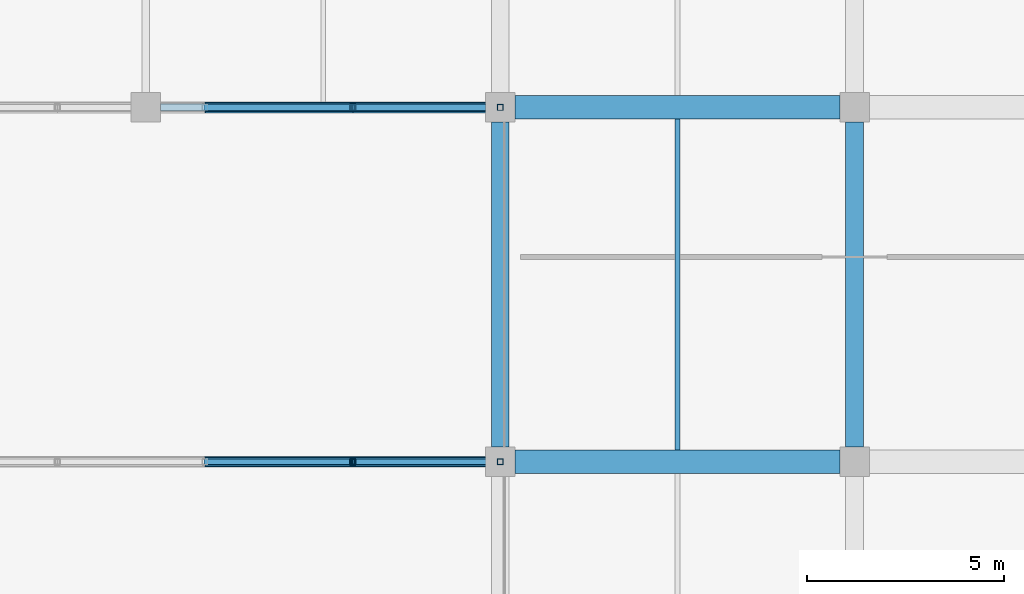
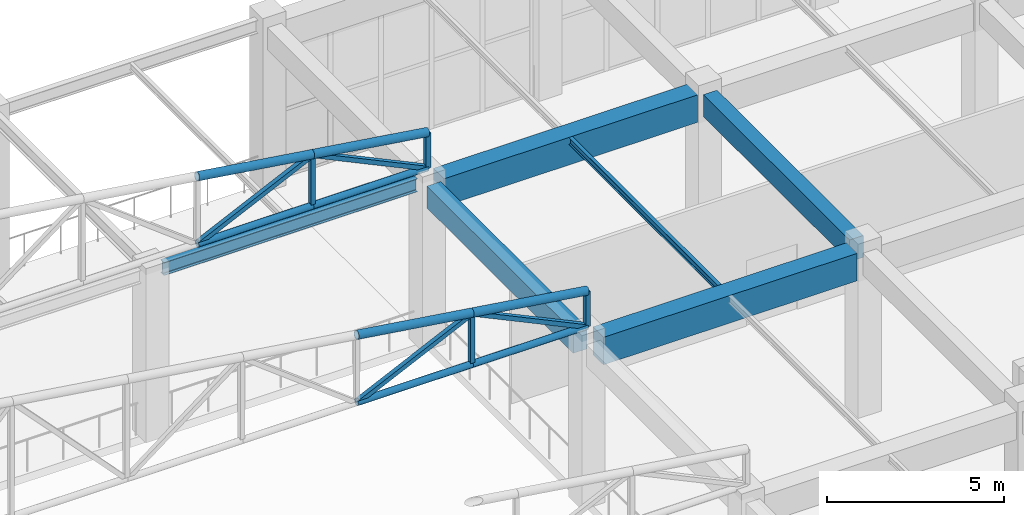
# One storey, part 72 of 223: 16 members, 6 beams.
"""IFC4 building model written with IfcOpenShell, lengths in metres."""

from ifc_helpers import new_model, si_unit, direction, frame, origin, origin_2d, place, context, subcontext, project, spatial, rectangle, hollow_rectangle, hollow_circle, i_section, extrude, material, material_profile, profile_set, type_object, element, save


model = new_model("IFC4")

# Units and contexts
model_context = context("Model", 3, precision=1e-05, world=origin(), true_north=direction((0.0, 1.0)))
body_context = subcontext(model_context, "Body", "Model", "MODEL_VIEW")
ifc_project = project(units=[si_unit("LENGTHUNIT", "METRE"), si_unit("AREAUNIT", "SQUARE_METRE"), si_unit("VOLUMEUNIT", "CUBIC_METRE"), si_unit("PLANEANGLEUNIT", "RADIAN"), si_unit("MASSUNIT", "GRAM", prefix="KILO")], contexts=[model_context])

# Site, building, storey
site_placement = place(None, origin())
site = spatial("IfcSite", under=ifc_project, at=site_placement, CompositionType="ELEMENT")
building_placement = place(site_placement, origin())
building = spatial("IfcBuilding", under=site, at=building_placement, Name="Dornveld Trade and Exhibition Forum", CompositionType="ELEMENT")
storey_placement = place(building_placement, frame((0.0, 0.0, 6.0)))
storey = spatial("IfcBuildingStorey", under=building, at=storey_placement, Name="L01", CompositionType="ELEMENT", Elevation=6.0)

# Beams
ifc_material_1 = material(Name="Steel S355J2", Category="steel")
ifc_material_profile_1 = material_profile(ifc_material_1, i_section(OverallWidth=0.1201171875, OverallDepth=0.239990234375, WebThickness=0.006103515625, FlangeThickness=0.009765625, FilletRadius=0.014892578125, at=origin_2d()), Name="IPE 240")
ifc_profile_set_1 = profile_set([ifc_material_profile_1], Name="Steel S355J2")
beam_type_1 = type_object("IfcBeamType", Name="BM-JOIST-240", PredefinedType="JOIST", material=ifc_profile_set_1)
beam_1_placement = place(storey_placement, frame((202.5, 36.297119140625, 5.52001953125), z_axis=(0.0, 1.0, 0.0), x_axis=(-1.0, 0.0, 0.0)))
element("IfcBeam", 1, at=beam_1_placement, inside=storey, type_object=beam_type_1, Name="L01 secondary joist 1323", PredefinedType="JOIST", context=body_context, shape_type="SweptSolid", body=[
    extrude(i_section(OverallWidth=0.1201171875, OverallDepth=0.239990234375, WebThickness=0.006103515625, FlangeThickness=0.009765625, FilletRadius=0.014892578125, at=origin_2d()), origin(), (0.0, 0.0, 1.0), 8.40576171875),
])
ifc_material_2 = material(Name="Precast concrete C50/60", Category="concrete")
ifc_material_profile_2 = material_profile(ifc_material_2, rectangle(XDim=0.449951171875, YDim=0.75, at=origin_2d()), Name="PC-BM 450x750")
ifc_profile_set_2 = profile_set([ifc_material_profile_2], Name="Precast concrete C50/60")
beam_type_2 = type_object("IfcBeamType", Name="BM-PC-450x750", PredefinedType="BEAM", material=ifc_profile_set_2)
for number, where, z_axis, x_axis, name in (
    (2, (198.0, 36.37109375, 5.264892578125), (0.0, 1.0, 0.0), (-1.0, 0.0, 0.0), "L01 Y-girder 1299"),
    (3, (207.0, 36.37109375, 5.264892578125), (0.0, 1.0, 0.0), (-1.0, 0.0, 0.0), "L01 Y-girder 1305"),
):
    element("IfcBeam", number, at=place(storey_placement, frame(where, z_axis=z_axis, x_axis=x_axis)), inside=storey, type_object=beam_type_2, Name=name, PredefinedType="BEAM", context=body_context, shape_type="SweptSolid", body=[
        extrude(rectangle(XDim=0.449951171875, YDim=0.75, at=origin_2d()), origin(), (0.0, 0.0, 1.0), 8.2578125),
    ])
ifc_material_3 = material(Name="Precast concrete C50/60", Category="concrete")
ifc_material_profile_3 = material_profile(ifc_material_3, rectangle(XDim=0.60009765625, YDim=0.949951171875, at=origin_2d()), Name="PC-GIR 600x950")
ifc_profile_set_3 = profile_set([ifc_material_profile_3], Name="Precast concrete C50/60")
beam_type_3 = type_object("IfcBeamType", Name="BM-PC-600x950", PredefinedType="T_BEAM", material=ifc_profile_set_3)
for number, where, z_axis, x_axis, name in (
    (4, (198.37109375, 36.0, 5.1650390625), (1.0, 0.0, 0.0), (0.0, 1.0, 0.0), "L01 X-girder 1286"),
    (5, (198.37109375, 45.0, 5.1650390625), (1.0, 0.0, 0.0), (0.0, 1.0, 0.0), "L01 X-girder 1289"),
):
    element("IfcBeam", number, at=place(storey_placement, frame(where, z_axis=z_axis, x_axis=x_axis)), inside=storey, type_object=beam_type_3, Name=name, PredefinedType="T_BEAM", context=body_context, shape_type="SweptSolid", body=[
        extrude(rectangle(XDim=0.60009765625, YDim=0.949951171875, at=origin_2d()), origin(), (0.0, 0.0, 1.0), 8.2578125),
    ])
ifc_material_4 = material(Name="Steel S355J2", Category="steel")
ifc_material_profile_4 = material_profile(ifc_material_4, i_section(OverallWidth=0.18994140625, OverallDepth=0.449951171875, WebThickness=0.009521484375, FlangeThickness=0.0146484375, FilletRadius=0.02099609375, at=origin_2d()), Name="IPE 450")
ifc_profile_set_4 = profile_set([ifc_material_profile_4], Name="Steel S355J2")
beam_type_4 = type_object("IfcBeamType", Name="BM-SEC-450", PredefinedType="BEAM", material=ifc_profile_set_4)
beam_2_placement = place(storey_placement, frame((189.37109375, 45.0, 5.554931640625), z_axis=(1.0, 0.0, 0.0), x_axis=(0.0, 1.0, 0.0)))
element("IfcBeam", 6, at=beam_2_placement, inside=storey, type_object=beam_type_4, Name="L01 X-girder 1740", PredefinedType="BEAM", context=body_context, shape_type="SweptSolid", body=[
    extrude(i_section(OverallWidth=0.18994140625, OverallDepth=0.449951171875, WebThickness=0.009521484375, FlangeThickness=0.0146484375, FilletRadius=0.02099609375, at=origin_2d()), origin(), (0.0, 0.0, 1.0), 8.2578125),
])

# Members
ifc_material_5 = material(Name="Steel S355J2", Category="steel")
ifc_material_profile_5 = material_profile(ifc_material_5, hollow_rectangle(XDim=0.14990234375, YDim=0.14990234375, WallThickness=0.008056640625, at=origin_2d()), Name="SHS 150x150x8")
ifc_profile_set_5 = profile_set([ifc_material_profile_5], Name="Steel S355J2")
member_type_1 = type_object("IfcMemberType", Name="MEM-ARCH-STR", PredefinedType="STRUT", material=ifc_profile_set_5)
member_1_placement = place(storey_placement, frame((194.25, 36.0, 5.97998046875), z_axis=(0.0, 0.0, 1.0), x_axis=(1.0, 0.0, 0.0)))
element("IfcMember", 7, at=member_1_placement, inside=storey, type_object=member_type_1, Name="Congress roof truss 5 post 12", PredefinedType="STRUT", context=body_context, shape_type="SweptSolid", body=[
    extrude(hollow_rectangle(XDim=0.14990234375, YDim=0.14990234375, WallThickness=0.008056640625, at=origin_2d()), origin(), (0.0, 0.0, 1.0), 1.77001953125),
])
member_2_placement = place(storey_placement, frame((198.0, 36.0, 5.97998046875), z_axis=(0.0, 0.0, 1.0), x_axis=(1.0, 0.0, 0.0)))
element("IfcMember", 8, at=member_2_placement, inside=storey, type_object=member_type_1, Name="Congress roof truss 5 east end post", PredefinedType="STRUT", context=body_context, shape_type="SweptSolid", body=[
    extrude(hollow_rectangle(XDim=0.14990234375, YDim=0.14990234375, WallThickness=0.008056640625, at=origin_2d()), origin(), (0.0, 0.0, 1.0), 1.219970703125),
])
member_3_placement = place(storey_placement, frame((194.25, 45.0, 5.97998046875), z_axis=(0.0, 0.0, 1.0), x_axis=(1.0, 0.0, 0.0)))
element("IfcMember", 9, at=member_3_placement, inside=storey, type_object=member_type_1, Name="Congress roof truss 6 post 12", PredefinedType="STRUT", context=body_context, shape_type="SweptSolid", body=[
    extrude(hollow_rectangle(XDim=0.14990234375, YDim=0.14990234375, WallThickness=0.008056640625, at=origin_2d()), origin(), (0.0, 0.0, 1.0), 1.77001953125),
])
member_4_placement = place(storey_placement, frame((198.0, 45.0, 5.97998046875), z_axis=(0.0, 0.0, 1.0), x_axis=(1.0, 0.0, 0.0)))
element("IfcMember", 10, at=member_4_placement, inside=storey, type_object=member_type_1, Name="Congress roof truss 6 east end post", PredefinedType="STRUT", context=body_context, shape_type="SweptSolid", body=[
    extrude(hollow_rectangle(XDim=0.14990234375, YDim=0.14990234375, WallThickness=0.008056640625, at=origin_2d()), origin(), (0.0, 0.0, 1.0), 1.219970703125),
])
ifc_material_6 = material(Name="Steel S355J2", Category="steel")
ifc_material_profile_6 = material_profile(ifc_material_6, hollow_circle(Radius=0.109619140625, WallThickness=0.010009765625, at=origin_2d()), Name="CHS 219.1x10")
ifc_profile_set_6 = profile_set([ifc_material_profile_6], Name="Steel S355J2")
member_type_2 = type_object("IfcMemberType", Name="MEM-CONG-BC", PredefinedType="CHORD", material=ifc_profile_set_6)
for number, where, z_axis, x_axis, name in (
    (11, (190.5, 36.0, 5.97998046875), (1.0, 0.0, 0.0), (0.0, 1.0, 0.0), "Congress roof truss 5 bottom chord 11"),
    (12, (194.25, 36.0, 5.97998046875), (1.0, 0.0, 0.0), (0.0, 1.0, 0.0), "Congress roof truss 5 bottom chord 12"),
    (13, (190.5, 45.0, 5.97998046875), (1.0, 0.0, 0.0), (0.0, 1.0, 0.0), "Congress roof truss 6 bottom chord 11"),
    (14, (194.25, 45.0, 5.97998046875), (1.0, 0.0, 0.0), (0.0, 1.0, 0.0), "Congress roof truss 6 bottom chord 12"),
):
    element("IfcMember", number, at=place(storey_placement, frame(where, z_axis=z_axis, x_axis=x_axis)), inside=storey, type_object=member_type_2, Name=name, PredefinedType="CHORD", context=body_context, shape_type="SweptSolid", body=[
        extrude(hollow_circle(Radius=0.109619140625, WallThickness=0.010009765625, at=origin_2d()), origin(), (0.0, 0.0, 1.0), 3.75),
    ])
ifc_material_7 = material(Name="Steel S355J2", Category="steel")
ifc_material_profile_7 = material_profile(ifc_material_7, hollow_circle(Radius=0.136474609375, WallThickness=0.012451171875, at=origin_2d()), Name="CHS 273x12.5")
ifc_profile_set_7 = profile_set([ifc_material_profile_7], Name="Steel S355J2")
member_type_3 = type_object("IfcMemberType", Name="MEM-CONG-TC", PredefinedType="CHORD", material=ifc_profile_set_7)
for number, where, z_axis, x_axis, name in (
    (15, (190.5, 36.0, 8.300048828125), (0.989413064489, 0.0, -0.145126799108), (0.0, 1.0, 0.0), "Congress roof truss 5 top chord 11"),
    (16, (194.25, 36.0, 7.75), (0.989413064489, 0.0, -0.145126799108), (0.0, 1.0, 0.0), "Congress roof truss 5 top chord 12"),
    (17, (190.5, 45.0, 8.300048828125), (0.989413064489, 0.0, -0.145126799108), (0.0, 1.0, 0.0), "Congress roof truss 6 top chord 11"),
    (18, (194.25, 45.0, 7.75), (0.989413064489, 0.0, -0.145126799108), (0.0, 1.0, 0.0), "Congress roof truss 6 top chord 12"),
):
    element("IfcMember", number, at=place(storey_placement, frame(where, z_axis=z_axis, x_axis=x_axis)), inside=storey, type_object=member_type_3, Name=name, PredefinedType="CHORD", context=body_context, shape_type="SweptSolid", body=[
        extrude(hollow_circle(Radius=0.136474609375, WallThickness=0.012451171875, at=origin_2d()), origin(), (0.0, 0.0, 1.0), 3.7900390625),
    ])
ifc_material_8 = material(Name="Steel S355J2", Category="steel")
ifc_material_profile_8 = material_profile(ifc_material_8, hollow_rectangle(XDim=0.14990234375, YDim=0.14990234375, WallThickness=0.008056640625, at=origin_2d()), Name="SHS 150x150x8")
ifc_profile_set_8 = profile_set([ifc_material_profile_8], Name="Steel S355J2")
member_type_4 = type_object("IfcMemberType", Name="MEM-CONG-WEB", PredefinedType="BRACE", material=ifc_profile_set_8)
for number, where, z_axis, x_axis, name in (
    (19, (190.5, 36.0, 5.97998046875), (0.904324408902, 0.0, 0.426845831025), (0.0, 1.0, 0.0), "Congress roof truss 5 web 11"),
    (20, (198.0, 36.0, 5.97998046875), (-0.904324408902, 0.0, 0.426845831025), (0.0, -1.0, 0.0), "Congress roof truss 5 web 12"),
    (21, (190.5, 45.0, 5.97998046875), (0.904324408902, 0.0, 0.426845831025), (0.0, 1.0, 0.0), "Congress roof truss 6 web 11"),
    (22, (198.0, 45.0, 5.97998046875), (-0.904324408902, 0.0, 0.426845831025), (0.0, -1.0, 0.0), "Congress roof truss 6 web 12"),
):
    element("IfcMember", number, at=place(storey_placement, frame(where, z_axis=z_axis, x_axis=x_axis)), inside=storey, type_object=member_type_4, Name=name, PredefinedType="BRACE", context=body_context, shape_type="SweptSolid", body=[
        extrude(hollow_rectangle(XDim=0.14990234375, YDim=0.14990234375, WallThickness=0.008056640625, at=origin_2d()), origin(), (0.0, 0.0, 1.0), 4.146728515625),
    ])

save(model, "model.ifc")
